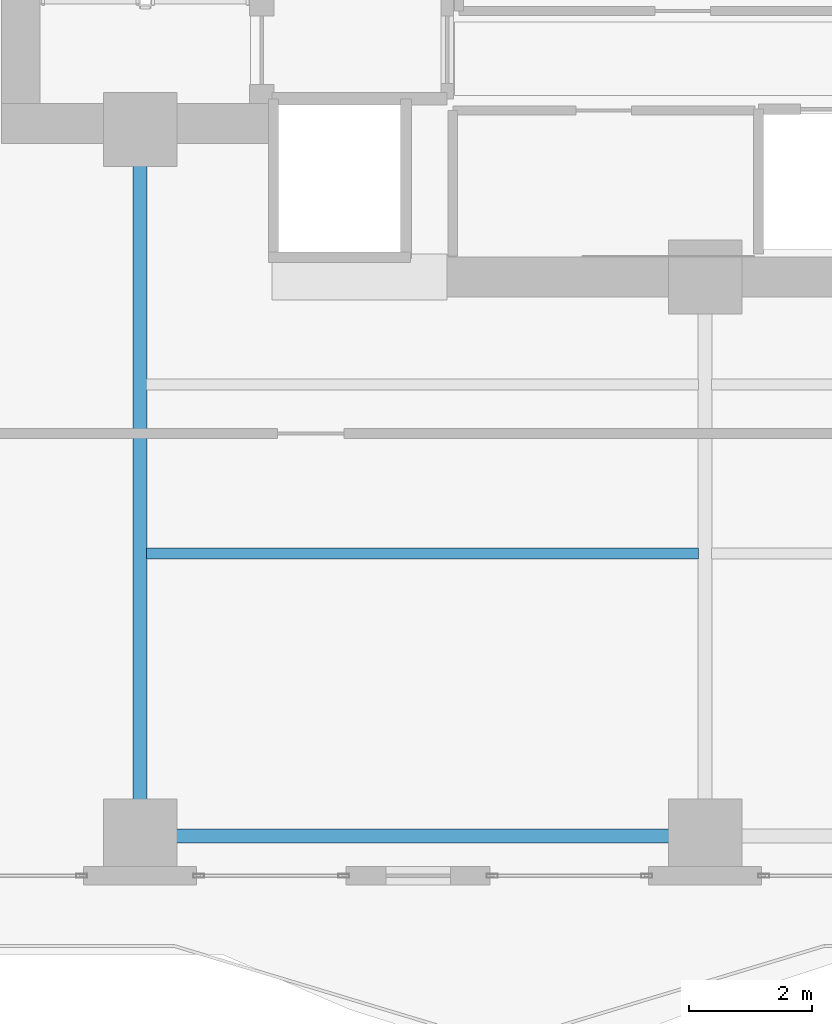
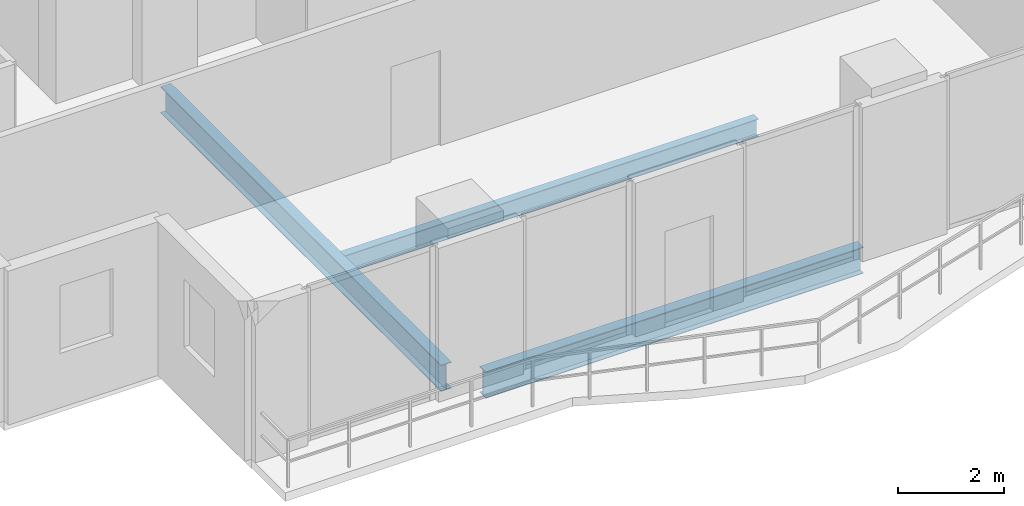
# One storey, part 3 of 33: 3 beams.
"""IFC4 building model written with IfcOpenShell, lengths in metres."""

import ifcopenshell
import ifcopenshell.guid

model = None  # the IFC model being written
_history = None  # IfcOwnerHistory: only IFC2X3 demands one
_inside = {}  # id of a spatial element -> (the spatial element, [elements in it])
_under = {}  # id of a project, library or spatial element -> (it, [spatial elements below it])
_declared = {}  # id of a project -> (the project, [libraries it declares])
_typed = {}  # id of a type object -> (the type object, [elements of that type])
_made_of = {}  # id of a material, layer set ... -> (it, [elements and type objects made of it])


def new_model(schema):
    """Start an empty IFC model of exactly this schema.

    Asked for "IFC4X3", IfcOpenShell would pick the latest addendum, in which some entities
    have other attributes; the version numbers below select the first issue.
    IFC2X3 requires an IfcOwnerHistory on every rooted entity: one is made here for all.
    """
    global model, _history
    if schema == "IFC4X3":
        model = ifcopenshell.file(schema_version=(4, 3, 0, 0))
    else:
        model = ifcopenshell.file(schema=schema)
    _inside.clear()
    _under.clear()
    _declared.clear()
    _typed.clear()
    _made_of.clear()
    _history = None
    if model.schema == "IFC2X3":
        org = make("IfcOrganization", Name="unknown")
        user = make(
            "IfcPersonAndOrganization",
            ThePerson=make("IfcPerson", FamilyName="unknown"),
            TheOrganization=org,
        )
        app = make(
            "IfcApplication",
            ApplicationDeveloper=org,
            Version="unknown",
            ApplicationFullName="unknown",
            ApplicationIdentifier="unknown",
        )
        _history = make(
            "IfcOwnerHistory",
            OwningUser=user,
            OwningApplication=app,
            ChangeAction="ADDED",
            CreationDate=0,
        )
    return model


def make(cls, **values):
    """One entity of the class cls with the attributes given. An attribute that is None is left unset."""
    return model.create_entity(
        cls, **{name: value for name, value in values.items() if value is not None}
    )


def rooted(cls, **values):
    """An entity with a GlobalId (a new one), such as an element, a storey or a relation."""
    return make(cls, GlobalId=ifcopenshell.guid.new(), OwnerHistory=_history, **values)


def si_unit(unit_type, name, prefix=None):
    """IfcSIUnit, for example si_unit("LENGTHUNIT", "METRE", prefix="MILLI")."""
    return make("IfcSIUnit", UnitType=unit_type, Prefix=prefix, Name=name)


def assignment(units):
    """IfcUnitAssignment: the units of a project."""
    return None if units is None else make("IfcUnitAssignment", Units=units)


def point(xyz):
    """IfcCartesianPoint."""
    return None if xyz is None else make("IfcCartesianPoint", Coordinates=xyz)


def direction(xyz):
    """IfcDirection."""
    return None if xyz is None else make("IfcDirection", DirectionRatios=xyz)


def frame(location, z_axis=None, x_axis=None):
    """IfcAxis2Placement3D, a coordinate frame: its origin and axes. An axis left out is left unset."""
    return make(
        "IfcAxis2Placement3D",
        Location=point(location),
        Axis=direction(z_axis),
        RefDirection=direction(x_axis),
    )


def frame_2d(location, x_axis=None):
    """IfcAxis2Placement2D, a coordinate frame in the plane: its origin and x axis."""
    return make(
        "IfcAxis2Placement2D", Location=point(location), RefDirection=direction(x_axis)
    )


def origin():
    """The frame at (0, 0, 0) with its axes left unset."""
    return frame((0.0, 0.0, 0.0))


def origin_2d():
    """The frame at (0, 0) in the plane with its x axis left unset."""
    return frame_2d((0.0, 0.0))


def place(relative_to, where):
    """IfcLocalPlacement: puts the frame where relative to a parent placement (None: the world)."""
    return make(
        "IfcLocalPlacement", PlacementRelTo=relative_to, RelativePlacement=where
    )


def context(
    kind, dimensions, precision=None, world=None, true_north=None, identifier=None
):
    """IfcGeometricRepresentationContext, for example the 3D "Model" context."""
    return make(
        "IfcGeometricRepresentationContext",
        ContextIdentifier=identifier,
        ContextType=kind,
        CoordinateSpaceDimension=dimensions,
        Precision=precision,
        WorldCoordinateSystem=world,
        TrueNorth=true_north,
    )


def subcontext(parent, identifier, kind, view, scale=None):
    """IfcGeometricRepresentationSubContext, for example "Body" below "Model"."""
    return make(
        "IfcGeometricRepresentationSubContext",
        ContextIdentifier=identifier,
        ContextType=kind,
        ParentContext=parent,
        TargetScale=scale,
        TargetView=view,
    )


def project(units=None, contexts=None):
    """IfcProject with its units and contexts."""
    return rooted(
        "IfcProject",
        Name="project",
        RepresentationContexts=contexts,
        UnitsInContext=assignment(units),
    )


def spatial(cls, under=None, at=None, **own):
    """A site, building, storey or space (cls), placed at a placement, below another one or the project."""
    s = rooted(cls, ObjectPlacement=at, **own)
    if under is not None:
        _under.setdefault(under.id(), (under, []))[1].append(s)
    return s


def profile(cls, at=None, kind="AREA", **sizes):
    """A parametric profile (cls). Its sizes go by their IFC names, for example OverallWidth=200.0."""
    return make(cls, ProfileType=kind, Position=at, **sizes)


def i_section(**sizes):
    """IfcIShapeProfileDef."""
    return profile("IfcIShapeProfileDef", **sizes)


def extrude(swept, where, along, depth):
    """IfcExtrudedAreaSolid: the profile swept, set in the frame where, extruded along a direction by depth."""
    return make(
        "IfcExtrudedAreaSolid",
        SweptArea=swept,
        Position=where,
        ExtrudedDirection=direction(along),
        Depth=depth,
    )


def shape(context_of_items, identifier, shape_type, items):
    """IfcShapeRepresentation: the items that make up one representation, for example the "Body"."""
    return make(
        "IfcShapeRepresentation",
        ContextOfItems=context_of_items,
        RepresentationIdentifier=identifier,
        RepresentationType=shape_type,
        Items=items,
    )


def material(Name=None, Category=None):
    """IfcMaterial."""
    return make("IfcMaterial", Name=Name, Category=Category)


def material_profile(
    of_material, cross_section, Name=None, Category=None, Priority=None
):
    """IfcMaterialProfile: a cross section and its material."""
    return make(
        "IfcMaterialProfile",
        Name=Name,
        Material=of_material,
        Profile=cross_section,
        Priority=Priority,
        Category=Category,
    )


def profile_set(profiles, Name=None, composite=None):
    """IfcMaterialProfileSet."""
    return make(
        "IfcMaterialProfileSet",
        Name=Name,
        MaterialProfiles=profiles,
        CompositeProfile=composite,
    )


def made_of(thing, what):
    """Note that an element or type object is made of a material, layer set ...; save() writes the relation."""
    if what is not None:
        _made_of.setdefault(what.id(), (what, []))[1].append(thing)
    return thing


def type_object(cls, material=None, **own):
    """A type object (cls), such as IfcWallType, which elements share."""
    return made_of(rooted(cls, **own), material)


def element(
    cls,
    number,
    at=None,
    inside=None,
    cuts=None,
    type_object=None,
    material=None,
    context=None,
    identifier="Body",
    shape_type=None,
    held_by="IfcProductDefinitionShape",
    body=None,
    shapes=None,
    **own,
):
    """One element of the class cls, such as IfcWall. Its Tag is "e" and its number.

    at: its placement. inside: the storey or other place that contains it. cuts: it is an
    opening in that element (IfcRelVoidsElement). A single representation is given by context,
    identifier, shape_type and body (its items); several are given by shapes. held_by: the class
    of the entity that holds the representations. save() writes the other relations.
    """
    e = rooted(cls, Tag="e%d" % number, ObjectPlacement=at, **own)
    if body is not None:
        shapes = [shape(context, identifier, shape_type, body)]
    if shapes is not None:
        e.Representation = make(held_by, Representations=shapes)
    if inside is not None:
        _inside.setdefault(inside.id(), (inside, []))[1].append(e)
    if cuts is not None:
        rooted(
            "IfcRelVoidsElement", RelatingBuildingElement=cuts, RelatedOpeningElement=e
        )
    if type_object is not None:
        _typed.setdefault(type_object.id(), (type_object, []))[1].append(e)
    return made_of(e, material)


def aggregate(whole, parts):
    """IfcRelAggregates: a whole, such as a stair, and the parts it consists of."""
    return rooted("IfcRelAggregates", RelatingObject=whole, RelatedObjects=parts)


def save(model, path):
    """Write the relations noted so far, then the file.

    IfcRelAggregates (storeys below a building ...), IfcRelContainedInSpatialStructure (elements
    in a storey), IfcRelDefinesByType, IfcRelAssociatesMaterial and IfcRelDeclares: one each for
    every whole, place, type object, material and project.
    """
    for whole, parts in _under.values():
        aggregate(whole, parts)
    for where, things in _inside.values():
        rooted(
            "IfcRelContainedInSpatialStructure",
            RelatedElements=things,
            RelatingStructure=where,
        )
    for kind, things in _typed.values():
        rooted("IfcRelDefinesByType", RelatedObjects=things, RelatingType=kind)
    for what, things in _made_of.values():
        rooted("IfcRelAssociatesMaterial", RelatedObjects=things, RelatingMaterial=what)
    for by, libraries in _declared.values():
        rooted("IfcRelDeclares", RelatingContext=by, RelatedDefinitions=libraries)
    model.write(path)


model = new_model("IFC4")

# Units and contexts
model_context = context("Model", 3, precision=1e-05, world=origin(), true_north=direction((0.0, 1.0)))
body_context = subcontext(model_context, "Body", "Model", "MODEL_VIEW")
ifc_project = project(units=[si_unit("LENGTHUNIT", "METRE"), si_unit("AREAUNIT", "SQUARE_METRE"), si_unit("VOLUMEUNIT", "CUBIC_METRE"), si_unit("PLANEANGLEUNIT", "RADIAN"), si_unit("MASSUNIT", "GRAM", prefix="KILO")], contexts=[model_context])

# Site, building, storey
site_placement = place(None, origin())
site = spatial("IfcSite", under=ifc_project, at=site_placement, CompositionType="ELEMENT")
building_placement = place(site_placement, origin())
building = spatial("IfcBuilding", under=site, at=building_placement, Name="Zuhayl Quay Hotel", CompositionType="ELEMENT")
storey_placement = place(building_placement, frame((0.0, 0.0, 214.89990234375)))
storey = spatial("IfcBuildingStorey", under=building, at=storey_placement, Name="L54", CompositionType="ELEMENT", Elevation=214.89990234375)

# Beams
ifc_material = material(Name="Steel ASTM A992 Grade 50", Category="steel")
ifc_material_profile_1 = material_profile(ifc_material, i_section(OverallWidth=0.22802734375, OverallDepth=0.60693359375, WebThickness=0.01123046875, FlangeThickness=0.017333984375, at=origin_2d()), Name="W24X76")
ifc_profile_set_1 = profile_set([ifc_material_profile_1], Name="Steel ASTM A992 Grade 50")
beam_type_1 = type_object("IfcBeamType", Name="BM_B3_W24X76", PredefinedType="BEAM", material=ifc_profile_set_1)
beam_1_placement = place(storey_placement, frame((-13.300048828125, -6.949951171875, -0.5234375), z_axis=(1.0, 0.0, 0.0), x_axis=(0.0, 1.0, 0.0)))
element("IfcBeam", 1, at=beam_1_placement, inside=storey, type_object=beam_type_1, Name="L54 Floor Beam RG_L54_01", PredefinedType="BEAM", context=body_context, shape_type="SweptSolid", body=[
    extrude(i_section(OverallWidth=0.22802734375, OverallDepth=0.60693359375, WebThickness=0.01123046875, FlangeThickness=0.017333984375, at=origin_2d()), origin(), (0.0, 0.0, 1.0), 8.199951171875),
])
beam_2_placement = place(storey_placement, frame((-13.800048828125, -6.449951171875, -0.5234375), z_axis=(0.0, 1.0, 0.0), x_axis=(-1.0, 0.0, 0.0)))
element("IfcBeam", 2, at=beam_2_placement, inside=storey, type_object=beam_type_1, Name="L54 Floor Beam FG_S_L54_1", PredefinedType="BEAM", context=body_context, shape_type="SweptSolid", body=[
    extrude(i_section(OverallWidth=0.22802734375, OverallDepth=0.60693359375, WebThickness=0.01123046875, FlangeThickness=0.017333984375, at=origin_2d()), origin(), (0.0, 0.0, 1.0), 10.550048828125),
])
ifc_material_profile_2 = material_profile(ifc_material, i_section(OverallWidth=0.177978515625, OverallDepth=0.406005859375, WebThickness=0.0078125, FlangeThickness=0.0126953125, at=origin_2d()), Name="W16X40")
ifc_profile_set_2 = profile_set([ifc_material_profile_2], Name="Steel ASTM A992 Grade 50")
beam_type_2 = type_object("IfcBeamType", Name="BM_J2B_W16X40", PredefinedType="JOIST", material=ifc_profile_set_2)
beam_3_placement = place(storey_placement, frame((-13.694091796875, -2.35009765625, -0.4228515625), z_axis=(1.0, 0.0, 0.0), x_axis=(0.0, 1.0, 0.0)))
element("IfcBeam", 3, at=beam_3_placement, inside=storey, type_object=beam_type_2, Name="L54 Floor Beam FJ_L54_7_1", PredefinedType="JOIST", context=body_context, shape_type="SweptSolid", body=[
    extrude(i_section(OverallWidth=0.177978515625, OverallDepth=0.406005859375, WebThickness=0.0078125, FlangeThickness=0.0126953125, at=origin_2d()), origin(), (0.0, 0.0, 1.0), 8.988037109375),
])

save(model, "model.ifc")
